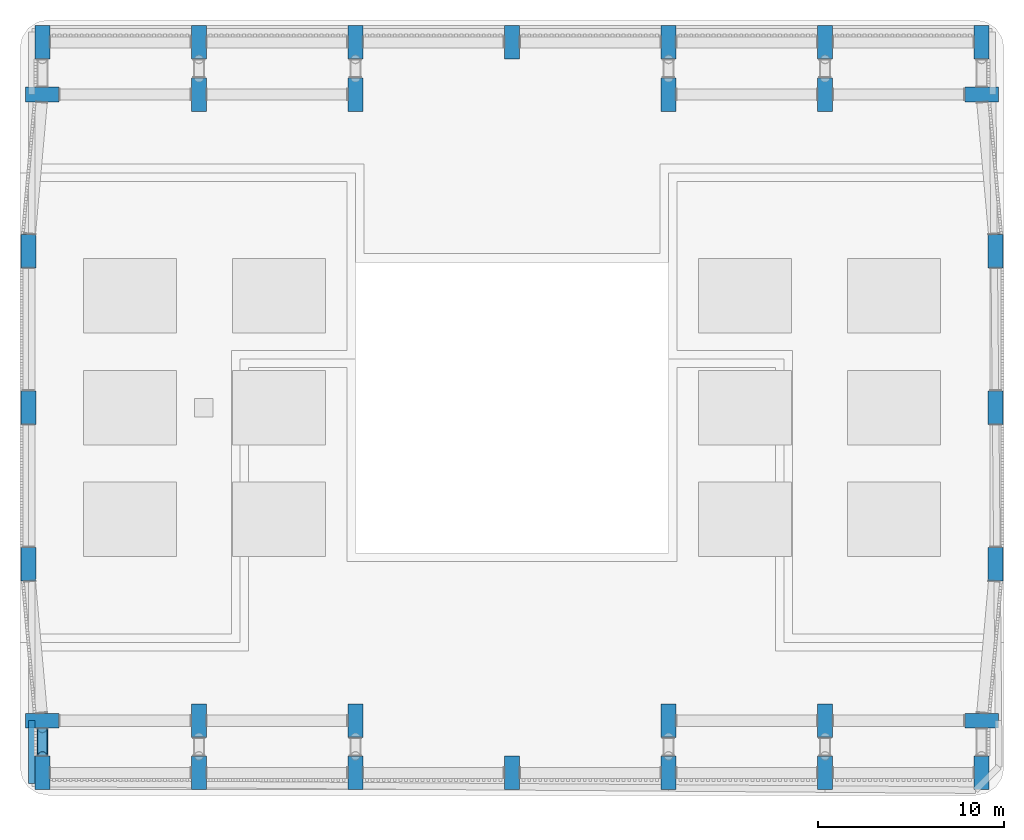
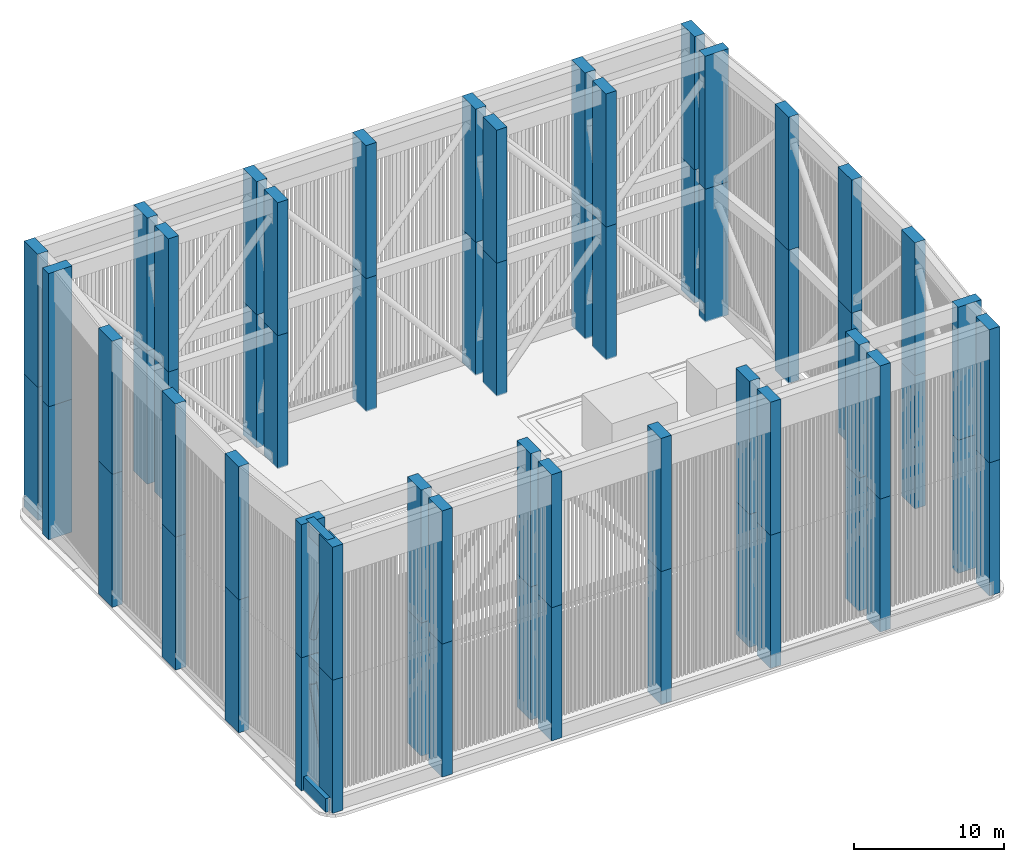
# One storey, part 1 of 27: 64 columns, 3 beams, 2 members.
"""IFC4 building model written with IfcOpenShell, lengths in metres."""

from ifc_helpers import new_model, si_unit, direction, frame, origin, origin_2d, place, context, subcontext, project, spatial, rectangle, hollow_circle, extrude, material, material_profile, profile_set, type_object, element, save


model = new_model("IFC4")

# Units and contexts
model_context = context("Model", 3, precision=1e-05, world=origin(), true_north=direction((0.0, 1.0)))
body_context = subcontext(model_context, "Body", "Model", "MODEL_VIEW")
ifc_project = project(units=[si_unit("LENGTHUNIT", "METRE"), si_unit("AREAUNIT", "SQUARE_METRE"), si_unit("VOLUMEUNIT", "CUBIC_METRE"), si_unit("PLANEANGLEUNIT", "RADIAN"), si_unit("MASSUNIT", "GRAM", prefix="KILO")], contexts=[model_context])

# Site, building, storey
site_placement = place(None, origin())
site = spatial("IfcSite", under=ifc_project, at=site_placement, CompositionType="ELEMENT")
building_placement = place(site_placement, origin())
building = spatial("IfcBuilding", under=site, at=building_placement, Name="Claustro Exchange Tower", CompositionType="ELEMENT")
storey_placement = place(building_placement, frame((0.0, 0.0, 287.10009765625)))
storey = spatial("IfcBuildingStorey", under=building, at=storey_placement, Name="ROOF", CompositionType="ELEMENT", Elevation=287.10009765625)

# Columns
ifc_material_1 = material(Name="Concrete HA-50 (C50/60)", Category="concrete")
ifc_material_profile_1 = material_profile(ifc_material_1, rectangle(XDim=0.800048828125, YDim=1.800048828125, at=origin_2d()), Name="RC 800x1800")
ifc_profile_set_1 = profile_set([ifc_material_profile_1], Name="Concrete HA-50 (C50/60)")
column_type = type_object("IfcColumnType", Name="CF1 RC 800x1800 crown frame blade", PredefinedType="COLUMN", material=ifc_profile_set_1)
column_1_placement = place(storey_placement, frame((-0.75, 16.800048828125, 0.0), z_axis=(0.0, 0.0, 1.0), x_axis=(1.0, 0.0, 0.0)))
element("IfcColumn", 1, at=column_1_placement, inside=storey, type_object=column_type, Name="CROWN FRAME blade CF1 1+-750/C lower", PredefinedType="COLUMN", context=body_context, shape_type="SweptSolid", body=[
    extrude(rectangle(XDim=0.800048828125, YDim=1.800048828125, at=origin_2d()), origin(), (0.0, 0.0, 1.0), 10.7998046875),
])
column_2_placement = place(storey_placement, frame((-0.75, 16.800048828125, 10.7998046875), z_axis=(0.0, 0.0, 1.0), x_axis=(1.0, 0.0, 0.0)))
element("IfcColumn", 2, at=column_2_placement, inside=storey, type_object=column_type, Name="CROWN FRAME blade CF1 1+-750/C upper", PredefinedType="COLUMN", context=body_context, shape_type="SweptSolid", body=[
    extrude(rectangle(XDim=0.800048828125, YDim=1.800048828125, at=origin_2d()), origin(), (0.0, 0.0, 1.0), 10.800048828125),
])
column_3_placement = place(storey_placement, frame((-0.75, 25.199951171875, 0.0), z_axis=(0.0, 0.0, 1.0), x_axis=(1.0, 0.0, 0.0)))
element("IfcColumn", 3, at=column_3_placement, inside=storey, type_object=column_type, Name="CROWN FRAME blade CF1 1+-750/D lower", PredefinedType="COLUMN", context=body_context, shape_type="SweptSolid", body=[
    extrude(rectangle(XDim=0.800048828125, YDim=1.800048828125, at=origin_2d()), origin(), (0.0, 0.0, 1.0), 10.7998046875),
])
column_4_placement = place(storey_placement, frame((-0.75, 25.199951171875, 10.7998046875), z_axis=(0.0, 0.0, 1.0), x_axis=(1.0, 0.0, 0.0)))
element("IfcColumn", 4, at=column_4_placement, inside=storey, type_object=column_type, Name="CROWN FRAME blade CF1 1+-750/D upper", PredefinedType="COLUMN", context=body_context, shape_type="SweptSolid", body=[
    extrude(rectangle(XDim=0.800048828125, YDim=1.800048828125, at=origin_2d()), origin(), (0.0, 0.0, 1.0), 10.800048828125),
])
column_5_placement = place(storey_placement, frame((-0.75, 33.60009765625, 0.0), z_axis=(0.0, 0.0, 1.0), x_axis=(1.0, 0.0, 0.0)))
element("IfcColumn", 5, at=column_5_placement, inside=storey, type_object=column_type, Name="CROWN FRAME blade CF1 1+-750/E lower", PredefinedType="COLUMN", context=body_context, shape_type="SweptSolid", body=[
    extrude(rectangle(XDim=0.800048828125, YDim=1.800048828125, at=origin_2d()), origin(), (0.0, 0.0, 1.0), 10.7998046875),
])
column_6_placement = place(storey_placement, frame((-0.75, 33.60009765625, 10.7998046875), z_axis=(0.0, 0.0, 1.0), x_axis=(1.0, 0.0, 0.0)))
element("IfcColumn", 6, at=column_6_placement, inside=storey, type_object=column_type, Name="CROWN FRAME blade CF1 1+-750/E upper", PredefinedType="COLUMN", context=body_context, shape_type="SweptSolid", body=[
    extrude(rectangle(XDim=0.800048828125, YDim=1.800048828125, at=origin_2d()), origin(), (0.0, 0.0, 1.0), 10.800048828125),
])
column_7_placement = place(storey_placement, frame((0.0, 5.60009765625, 0.0), z_axis=(0.0, 0.0, 1.0), x_axis=(1.0, 0.0, 0.0)))
element("IfcColumn", 7, at=column_7_placement, inside=storey, type_object=column_type, Name="CROWN FRAME blade CF1 1/A+5600 lower", PredefinedType="COLUMN", context=body_context, shape_type="SweptSolid", body=[
    extrude(rectangle(XDim=0.800048828125, YDim=1.800048828125, at=origin_2d()), origin(), (0.0, 0.0, 1.0), 10.7998046875),
])
column_8_placement = place(storey_placement, frame((0.0, 5.60009765625, 10.7998046875), z_axis=(0.0, 0.0, 1.0), x_axis=(1.0, 0.0, 0.0)))
element("IfcColumn", 8, at=column_8_placement, inside=storey, type_object=column_type, Name="CROWN FRAME blade CF1 1/A+5600 upper", PredefinedType="COLUMN", context=body_context, shape_type="SweptSolid", body=[
    extrude(rectangle(XDim=0.800048828125, YDim=1.800048828125, at=origin_2d()), origin(), (0.0, 0.0, 1.0), 10.800048828125),
])
column_9_placement = place(storey_placement, frame((0.0, 8.39990234375, 0.0), z_axis=(0.0, 0.0, 1.0), x_axis=(0.0, 1.0, 0.0)))
element("IfcColumn", 9, at=column_9_placement, inside=storey, type_object=column_type, Name="CROWN FRAME blade CF1 1/B lower", PredefinedType="COLUMN", context=body_context, shape_type="SweptSolid", body=[
    extrude(rectangle(XDim=0.800048828125, YDim=1.800048828125, at=origin_2d()), origin(), (0.0, 0.0, 1.0), 10.7998046875),
])
column_10_placement = place(storey_placement, frame((0.0, 8.39990234375, 10.7998046875), z_axis=(0.0, 0.0, 1.0), x_axis=(0.0, 1.0, 0.0)))
element("IfcColumn", 10, at=column_10_placement, inside=storey, type_object=column_type, Name="CROWN FRAME blade CF1 1/B upper", PredefinedType="COLUMN", context=body_context, shape_type="SweptSolid", body=[
    extrude(rectangle(XDim=0.800048828125, YDim=1.800048828125, at=origin_2d()), origin(), (0.0, 0.0, 1.0), 10.800048828125),
])
column_11_placement = place(storey_placement, frame((0.0, 42.0, 0.0), z_axis=(0.0, 0.0, 1.0), x_axis=(0.0, 1.0, 0.0)))
element("IfcColumn", 11, at=column_11_placement, inside=storey, type_object=column_type, Name="CROWN FRAME blade CF1 1/F lower", PredefinedType="COLUMN", context=body_context, shape_type="SweptSolid", body=[
    extrude(rectangle(XDim=0.800048828125, YDim=1.800048828125, at=origin_2d()), origin(), (0.0, 0.0, 1.0), 10.7998046875),
])
column_12_placement = place(storey_placement, frame((0.0, 42.0, 10.7998046875), z_axis=(0.0, 0.0, 1.0), x_axis=(0.0, 1.0, 0.0)))
element("IfcColumn", 12, at=column_12_placement, inside=storey, type_object=column_type, Name="CROWN FRAME blade CF1 1/F upper", PredefinedType="COLUMN", context=body_context, shape_type="SweptSolid", body=[
    extrude(rectangle(XDim=0.800048828125, YDim=1.800048828125, at=origin_2d()), origin(), (0.0, 0.0, 1.0), 10.800048828125),
])
column_13_placement = place(storey_placement, frame((0.0, 44.800048828125, 0.0), z_axis=(0.0, 0.0, 1.0), x_axis=(1.0, 0.0, 0.0)))
element("IfcColumn", 13, at=column_13_placement, inside=storey, type_object=column_type, Name="CROWN FRAME blade CF1 1/F+2800 lower", PredefinedType="COLUMN", context=body_context, shape_type="SweptSolid", body=[
    extrude(rectangle(XDim=0.800048828125, YDim=1.800048828125, at=origin_2d()), origin(), (0.0, 0.0, 1.0), 10.7998046875),
])
column_14_placement = place(storey_placement, frame((0.0, 44.800048828125, 10.7998046875), z_axis=(0.0, 0.0, 1.0), x_axis=(1.0, 0.0, 0.0)))
element("IfcColumn", 14, at=column_14_placement, inside=storey, type_object=column_type, Name="CROWN FRAME blade CF1 1/F+2800 upper", PredefinedType="COLUMN", context=body_context, shape_type="SweptSolid", body=[
    extrude(rectangle(XDim=0.800048828125, YDim=1.800048828125, at=origin_2d()), origin(), (0.0, 0.0, 1.0), 10.800048828125),
])
column_15_placement = place(storey_placement, frame((8.39990234375, 5.60009765625, 0.0), z_axis=(0.0, 0.0, 1.0), x_axis=(1.0, 0.0, 0.0)))
element("IfcColumn", 15, at=column_15_placement, inside=storey, type_object=column_type, Name="CROWN FRAME blade CF1 2/A+5600 lower", PredefinedType="COLUMN", context=body_context, shape_type="SweptSolid", body=[
    extrude(rectangle(XDim=0.800048828125, YDim=1.800048828125, at=origin_2d()), origin(), (0.0, 0.0, 1.0), 10.7998046875),
])
column_16_placement = place(storey_placement, frame((8.39990234375, 5.60009765625, 10.7998046875), z_axis=(0.0, 0.0, 1.0), x_axis=(1.0, 0.0, 0.0)))
element("IfcColumn", 16, at=column_16_placement, inside=storey, type_object=column_type, Name="CROWN FRAME blade CF1 2/A+5600 upper", PredefinedType="COLUMN", context=body_context, shape_type="SweptSolid", body=[
    extrude(rectangle(XDim=0.800048828125, YDim=1.800048828125, at=origin_2d()), origin(), (0.0, 0.0, 1.0), 10.800048828125),
])
column_17_placement = place(storey_placement, frame((8.39990234375, 8.39990234375, 0.0), z_axis=(0.0, 0.0, 1.0), x_axis=(1.0, 0.0, 0.0)))
element("IfcColumn", 17, at=column_17_placement, inside=storey, type_object=column_type, Name="CROWN FRAME blade CF1 2/B lower", PredefinedType="COLUMN", context=body_context, shape_type="SweptSolid", body=[
    extrude(rectangle(XDim=0.800048828125, YDim=1.800048828125, at=origin_2d()), origin(), (0.0, 0.0, 1.0), 10.7998046875),
])
column_18_placement = place(storey_placement, frame((8.39990234375, 8.39990234375, 10.7998046875), z_axis=(0.0, 0.0, 1.0), x_axis=(1.0, 0.0, 0.0)))
element("IfcColumn", 18, at=column_18_placement, inside=storey, type_object=column_type, Name="CROWN FRAME blade CF1 2/B upper", PredefinedType="COLUMN", context=body_context, shape_type="SweptSolid", body=[
    extrude(rectangle(XDim=0.800048828125, YDim=1.800048828125, at=origin_2d()), origin(), (0.0, 0.0, 1.0), 10.800048828125),
])
column_19_placement = place(storey_placement, frame((8.39990234375, 42.0, 0.0), z_axis=(0.0, 0.0, 1.0), x_axis=(1.0, 0.0, 0.0)))
element("IfcColumn", 19, at=column_19_placement, inside=storey, type_object=column_type, Name="CROWN FRAME blade CF1 2/F lower", PredefinedType="COLUMN", context=body_context, shape_type="SweptSolid", body=[
    extrude(rectangle(XDim=0.800048828125, YDim=1.800048828125, at=origin_2d()), origin(), (0.0, 0.0, 1.0), 10.7998046875),
])
column_20_placement = place(storey_placement, frame((8.39990234375, 42.0, 10.7998046875), z_axis=(0.0, 0.0, 1.0), x_axis=(1.0, 0.0, 0.0)))
element("IfcColumn", 20, at=column_20_placement, inside=storey, type_object=column_type, Name="CROWN FRAME blade CF1 2/F upper", PredefinedType="COLUMN", context=body_context, shape_type="SweptSolid", body=[
    extrude(rectangle(XDim=0.800048828125, YDim=1.800048828125, at=origin_2d()), origin(), (0.0, 0.0, 1.0), 10.800048828125),
])
column_21_placement = place(storey_placement, frame((8.39990234375, 44.800048828125, 0.0), z_axis=(0.0, 0.0, 1.0), x_axis=(1.0, 0.0, 0.0)))
element("IfcColumn", 21, at=column_21_placement, inside=storey, type_object=column_type, Name="CROWN FRAME blade CF1 2/F+2800 lower", PredefinedType="COLUMN", context=body_context, shape_type="SweptSolid", body=[
    extrude(rectangle(XDim=0.800048828125, YDim=1.800048828125, at=origin_2d()), origin(), (0.0, 0.0, 1.0), 10.7998046875),
])
column_22_placement = place(storey_placement, frame((8.39990234375, 44.800048828125, 10.7998046875), z_axis=(0.0, 0.0, 1.0), x_axis=(1.0, 0.0, 0.0)))
element("IfcColumn", 22, at=column_22_placement, inside=storey, type_object=column_type, Name="CROWN FRAME blade CF1 2/F+2800 upper", PredefinedType="COLUMN", context=body_context, shape_type="SweptSolid", body=[
    extrude(rectangle(XDim=0.800048828125, YDim=1.800048828125, at=origin_2d()), origin(), (0.0, 0.0, 1.0), 10.800048828125),
])
column_23_placement = place(storey_placement, frame((16.800048828125, 5.60009765625, 0.0), z_axis=(0.0, 0.0, 1.0), x_axis=(1.0, 0.0, 0.0)))
element("IfcColumn", 23, at=column_23_placement, inside=storey, type_object=column_type, Name="CROWN FRAME blade CF1 3/A+5600 lower", PredefinedType="COLUMN", context=body_context, shape_type="SweptSolid", body=[
    extrude(rectangle(XDim=0.800048828125, YDim=1.800048828125, at=origin_2d()), origin(), (0.0, 0.0, 1.0), 10.7998046875),
])
column_24_placement = place(storey_placement, frame((16.800048828125, 5.60009765625, 10.7998046875), z_axis=(0.0, 0.0, 1.0), x_axis=(1.0, 0.0, 0.0)))
element("IfcColumn", 24, at=column_24_placement, inside=storey, type_object=column_type, Name="CROWN FRAME blade CF1 3/A+5600 upper", PredefinedType="COLUMN", context=body_context, shape_type="SweptSolid", body=[
    extrude(rectangle(XDim=0.800048828125, YDim=1.800048828125, at=origin_2d()), origin(), (0.0, 0.0, 1.0), 10.800048828125),
])
column_25_placement = place(storey_placement, frame((16.800048828125, 8.39990234375, 0.0), z_axis=(0.0, 0.0, 1.0), x_axis=(1.0, 0.0, 0.0)))
element("IfcColumn", 25, at=column_25_placement, inside=storey, type_object=column_type, Name="CROWN FRAME blade CF1 3/B lower", PredefinedType="COLUMN", context=body_context, shape_type="SweptSolid", body=[
    extrude(rectangle(XDim=0.800048828125, YDim=1.800048828125, at=origin_2d()), origin(), (0.0, 0.0, 1.0), 10.7998046875),
])
column_26_placement = place(storey_placement, frame((16.800048828125, 8.39990234375, 10.7998046875), z_axis=(0.0, 0.0, 1.0), x_axis=(1.0, 0.0, 0.0)))
element("IfcColumn", 26, at=column_26_placement, inside=storey, type_object=column_type, Name="CROWN FRAME blade CF1 3/B upper", PredefinedType="COLUMN", context=body_context, shape_type="SweptSolid", body=[
    extrude(rectangle(XDim=0.800048828125, YDim=1.800048828125, at=origin_2d()), origin(), (0.0, 0.0, 1.0), 10.800048828125),
])
column_27_placement = place(storey_placement, frame((16.800048828125, 42.0, 0.0), z_axis=(0.0, 0.0, 1.0), x_axis=(1.0, 0.0, 0.0)))
element("IfcColumn", 27, at=column_27_placement, inside=storey, type_object=column_type, Name="CROWN FRAME blade CF1 3/F lower", PredefinedType="COLUMN", context=body_context, shape_type="SweptSolid", body=[
    extrude(rectangle(XDim=0.800048828125, YDim=1.800048828125, at=origin_2d()), origin(), (0.0, 0.0, 1.0), 10.7998046875),
])
column_28_placement = place(storey_placement, frame((16.800048828125, 42.0, 10.7998046875), z_axis=(0.0, 0.0, 1.0), x_axis=(1.0, 0.0, 0.0)))
element("IfcColumn", 28, at=column_28_placement, inside=storey, type_object=column_type, Name="CROWN FRAME blade CF1 3/F upper", PredefinedType="COLUMN", context=body_context, shape_type="SweptSolid", body=[
    extrude(rectangle(XDim=0.800048828125, YDim=1.800048828125, at=origin_2d()), origin(), (0.0, 0.0, 1.0), 10.800048828125),
])
column_29_placement = place(storey_placement, frame((16.800048828125, 44.800048828125, 0.0), z_axis=(0.0, 0.0, 1.0), x_axis=(1.0, 0.0, 0.0)))
element("IfcColumn", 29, at=column_29_placement, inside=storey, type_object=column_type, Name="CROWN FRAME blade CF1 3/F+2800 lower", PredefinedType="COLUMN", context=body_context, shape_type="SweptSolid", body=[
    extrude(rectangle(XDim=0.800048828125, YDim=1.800048828125, at=origin_2d()), origin(), (0.0, 0.0, 1.0), 10.7998046875),
])
column_30_placement = place(storey_placement, frame((16.800048828125, 44.800048828125, 10.7998046875), z_axis=(0.0, 0.0, 1.0), x_axis=(1.0, 0.0, 0.0)))
element("IfcColumn", 30, at=column_30_placement, inside=storey, type_object=column_type, Name="CROWN FRAME blade CF1 3/F+2800 upper", PredefinedType="COLUMN", context=body_context, shape_type="SweptSolid", body=[
    extrude(rectangle(XDim=0.800048828125, YDim=1.800048828125, at=origin_2d()), origin(), (0.0, 0.0, 1.0), 10.800048828125),
])
column_31_placement = place(storey_placement, frame((25.199951171875, 5.60009765625, 0.0), z_axis=(0.0, 0.0, 1.0), x_axis=(1.0, 0.0, 0.0)))
element("IfcColumn", 31, at=column_31_placement, inside=storey, type_object=column_type, Name="CROWN FRAME blade CF1 4/A+5600 lower", PredefinedType="COLUMN", context=body_context, shape_type="SweptSolid", body=[
    extrude(rectangle(XDim=0.800048828125, YDim=1.800048828125, at=origin_2d()), origin(), (0.0, 0.0, 1.0), 10.7998046875),
])
column_32_placement = place(storey_placement, frame((25.199951171875, 5.60009765625, 10.7998046875), z_axis=(0.0, 0.0, 1.0), x_axis=(1.0, 0.0, 0.0)))
element("IfcColumn", 32, at=column_32_placement, inside=storey, type_object=column_type, Name="CROWN FRAME blade CF1 4/A+5600 upper", PredefinedType="COLUMN", context=body_context, shape_type="SweptSolid", body=[
    extrude(rectangle(XDim=0.800048828125, YDim=1.800048828125, at=origin_2d()), origin(), (0.0, 0.0, 1.0), 10.800048828125),
])
column_33_placement = place(storey_placement, frame((25.199951171875, 44.800048828125, 0.0), z_axis=(0.0, 0.0, 1.0), x_axis=(1.0, 0.0, 0.0)))
element("IfcColumn", 33, at=column_33_placement, inside=storey, type_object=column_type, Name="CROWN FRAME blade CF1 4/F+2800 lower", PredefinedType="COLUMN", context=body_context, shape_type="SweptSolid", body=[
    extrude(rectangle(XDim=0.800048828125, YDim=1.800048828125, at=origin_2d()), origin(), (0.0, 0.0, 1.0), 10.7998046875),
])
column_34_placement = place(storey_placement, frame((25.199951171875, 44.800048828125, 10.7998046875), z_axis=(0.0, 0.0, 1.0), x_axis=(1.0, 0.0, 0.0)))
element("IfcColumn", 34, at=column_34_placement, inside=storey, type_object=column_type, Name="CROWN FRAME blade CF1 4/F+2800 upper", PredefinedType="COLUMN", context=body_context, shape_type="SweptSolid", body=[
    extrude(rectangle(XDim=0.800048828125, YDim=1.800048828125, at=origin_2d()), origin(), (0.0, 0.0, 1.0), 10.800048828125),
])
column_35_placement = place(storey_placement, frame((33.60009765625, 5.60009765625, 0.0), z_axis=(0.0, 0.0, 1.0), x_axis=(1.0, 0.0, 0.0)))
element("IfcColumn", 35, at=column_35_placement, inside=storey, type_object=column_type, Name="CROWN FRAME blade CF1 5/A+5600 lower", PredefinedType="COLUMN", context=body_context, shape_type="SweptSolid", body=[
    extrude(rectangle(XDim=0.800048828125, YDim=1.800048828125, at=origin_2d()), origin(), (0.0, 0.0, 1.0), 10.7998046875),
])
column_36_placement = place(storey_placement, frame((33.60009765625, 5.60009765625, 10.7998046875), z_axis=(0.0, 0.0, 1.0), x_axis=(1.0, 0.0, 0.0)))
element("IfcColumn", 36, at=column_36_placement, inside=storey, type_object=column_type, Name="CROWN FRAME blade CF1 5/A+5600 upper", PredefinedType="COLUMN", context=body_context, shape_type="SweptSolid", body=[
    extrude(rectangle(XDim=0.800048828125, YDim=1.800048828125, at=origin_2d()), origin(), (0.0, 0.0, 1.0), 10.800048828125),
])
column_37_placement = place(storey_placement, frame((33.60009765625, 8.39990234375, 0.0), z_axis=(0.0, 0.0, 1.0), x_axis=(1.0, 0.0, 0.0)))
element("IfcColumn", 37, at=column_37_placement, inside=storey, type_object=column_type, Name="CROWN FRAME blade CF1 5/B lower", PredefinedType="COLUMN", context=body_context, shape_type="SweptSolid", body=[
    extrude(rectangle(XDim=0.800048828125, YDim=1.800048828125, at=origin_2d()), origin(), (0.0, 0.0, 1.0), 10.7998046875),
])
column_38_placement = place(storey_placement, frame((33.60009765625, 8.39990234375, 10.7998046875), z_axis=(0.0, 0.0, 1.0), x_axis=(1.0, 0.0, 0.0)))
element("IfcColumn", 38, at=column_38_placement, inside=storey, type_object=column_type, Name="CROWN FRAME blade CF1 5/B upper", PredefinedType="COLUMN", context=body_context, shape_type="SweptSolid", body=[
    extrude(rectangle(XDim=0.800048828125, YDim=1.800048828125, at=origin_2d()), origin(), (0.0, 0.0, 1.0), 10.800048828125),
])
column_39_placement = place(storey_placement, frame((33.60009765625, 42.0, 0.0), z_axis=(0.0, 0.0, 1.0), x_axis=(1.0, 0.0, 0.0)))
element("IfcColumn", 39, at=column_39_placement, inside=storey, type_object=column_type, Name="CROWN FRAME blade CF1 5/F lower", PredefinedType="COLUMN", context=body_context, shape_type="SweptSolid", body=[
    extrude(rectangle(XDim=0.800048828125, YDim=1.800048828125, at=origin_2d()), origin(), (0.0, 0.0, 1.0), 10.7998046875),
])
column_40_placement = place(storey_placement, frame((33.60009765625, 42.0, 10.7998046875), z_axis=(0.0, 0.0, 1.0), x_axis=(1.0, 0.0, 0.0)))
element("IfcColumn", 40, at=column_40_placement, inside=storey, type_object=column_type, Name="CROWN FRAME blade CF1 5/F upper", PredefinedType="COLUMN", context=body_context, shape_type="SweptSolid", body=[
    extrude(rectangle(XDim=0.800048828125, YDim=1.800048828125, at=origin_2d()), origin(), (0.0, 0.0, 1.0), 10.800048828125),
])
column_41_placement = place(storey_placement, frame((33.60009765625, 44.800048828125, 0.0), z_axis=(0.0, 0.0, 1.0), x_axis=(1.0, 0.0, 0.0)))
element("IfcColumn", 41, at=column_41_placement, inside=storey, type_object=column_type, Name="CROWN FRAME blade CF1 5/F+2800 lower", PredefinedType="COLUMN", context=body_context, shape_type="SweptSolid", body=[
    extrude(rectangle(XDim=0.800048828125, YDim=1.800048828125, at=origin_2d()), origin(), (0.0, 0.0, 1.0), 10.7998046875),
])
column_42_placement = place(storey_placement, frame((33.60009765625, 44.800048828125, 10.7998046875), z_axis=(0.0, 0.0, 1.0), x_axis=(1.0, 0.0, 0.0)))
element("IfcColumn", 42, at=column_42_placement, inside=storey, type_object=column_type, Name="CROWN FRAME blade CF1 5/F+2800 upper", PredefinedType="COLUMN", context=body_context, shape_type="SweptSolid", body=[
    extrude(rectangle(XDim=0.800048828125, YDim=1.800048828125, at=origin_2d()), origin(), (0.0, 0.0, 1.0), 10.800048828125),
])
column_43_placement = place(storey_placement, frame((42.0, 5.60009765625, 0.0), z_axis=(0.0, 0.0, 1.0), x_axis=(1.0, 0.0, 0.0)))
element("IfcColumn", 43, at=column_43_placement, inside=storey, type_object=column_type, Name="CROWN FRAME blade CF1 6/A+5600 lower", PredefinedType="COLUMN", context=body_context, shape_type="SweptSolid", body=[
    extrude(rectangle(XDim=0.800048828125, YDim=1.800048828125, at=origin_2d()), origin(), (0.0, 0.0, 1.0), 10.7998046875),
])
column_44_placement = place(storey_placement, frame((42.0, 5.60009765625, 10.7998046875), z_axis=(0.0, 0.0, 1.0), x_axis=(1.0, 0.0, 0.0)))
element("IfcColumn", 44, at=column_44_placement, inside=storey, type_object=column_type, Name="CROWN FRAME blade CF1 6/A+5600 upper", PredefinedType="COLUMN", context=body_context, shape_type="SweptSolid", body=[
    extrude(rectangle(XDim=0.800048828125, YDim=1.800048828125, at=origin_2d()), origin(), (0.0, 0.0, 1.0), 10.800048828125),
])
column_45_placement = place(storey_placement, frame((42.0, 8.39990234375, 0.0), z_axis=(0.0, 0.0, 1.0), x_axis=(1.0, 0.0, 0.0)))
element("IfcColumn", 45, at=column_45_placement, inside=storey, type_object=column_type, Name="CROWN FRAME blade CF1 6/B lower", PredefinedType="COLUMN", context=body_context, shape_type="SweptSolid", body=[
    extrude(rectangle(XDim=0.800048828125, YDim=1.800048828125, at=origin_2d()), origin(), (0.0, 0.0, 1.0), 10.7998046875),
])
column_46_placement = place(storey_placement, frame((42.0, 8.39990234375, 10.7998046875), z_axis=(0.0, 0.0, 1.0), x_axis=(1.0, 0.0, 0.0)))
element("IfcColumn", 46, at=column_46_placement, inside=storey, type_object=column_type, Name="CROWN FRAME blade CF1 6/B upper", PredefinedType="COLUMN", context=body_context, shape_type="SweptSolid", body=[
    extrude(rectangle(XDim=0.800048828125, YDim=1.800048828125, at=origin_2d()), origin(), (0.0, 0.0, 1.0), 10.800048828125),
])
column_47_placement = place(storey_placement, frame((42.0, 42.0, 0.0), z_axis=(0.0, 0.0, 1.0), x_axis=(1.0, 0.0, 0.0)))
element("IfcColumn", 47, at=column_47_placement, inside=storey, type_object=column_type, Name="CROWN FRAME blade CF1 6/F lower", PredefinedType="COLUMN", context=body_context, shape_type="SweptSolid", body=[
    extrude(rectangle(XDim=0.800048828125, YDim=1.800048828125, at=origin_2d()), origin(), (0.0, 0.0, 1.0), 10.7998046875),
])
column_48_placement = place(storey_placement, frame((42.0, 42.0, 10.7998046875), z_axis=(0.0, 0.0, 1.0), x_axis=(1.0, 0.0, 0.0)))
element("IfcColumn", 48, at=column_48_placement, inside=storey, type_object=column_type, Name="CROWN FRAME blade CF1 6/F upper", PredefinedType="COLUMN", context=body_context, shape_type="SweptSolid", body=[
    extrude(rectangle(XDim=0.800048828125, YDim=1.800048828125, at=origin_2d()), origin(), (0.0, 0.0, 1.0), 10.800048828125),
])
column_49_placement = place(storey_placement, frame((42.0, 44.800048828125, 0.0), z_axis=(0.0, 0.0, 1.0), x_axis=(1.0, 0.0, 0.0)))
element("IfcColumn", 49, at=column_49_placement, inside=storey, type_object=column_type, Name="CROWN FRAME blade CF1 6/F+2800 lower", PredefinedType="COLUMN", context=body_context, shape_type="SweptSolid", body=[
    extrude(rectangle(XDim=0.800048828125, YDim=1.800048828125, at=origin_2d()), origin(), (0.0, 0.0, 1.0), 10.7998046875),
])
column_50_placement = place(storey_placement, frame((42.0, 44.800048828125, 10.7998046875), z_axis=(0.0, 0.0, 1.0), x_axis=(1.0, 0.0, 0.0)))
element("IfcColumn", 50, at=column_50_placement, inside=storey, type_object=column_type, Name="CROWN FRAME blade CF1 6/F+2800 upper", PredefinedType="COLUMN", context=body_context, shape_type="SweptSolid", body=[
    extrude(rectangle(XDim=0.800048828125, YDim=1.800048828125, at=origin_2d()), origin(), (0.0, 0.0, 1.0), 10.800048828125),
])
column_51_placement = place(storey_placement, frame((50.39990234375, 5.60009765625, 0.0), z_axis=(0.0, 0.0, 1.0), x_axis=(1.0, 0.0, 0.0)))
element("IfcColumn", 51, at=column_51_placement, inside=storey, type_object=column_type, Name="CROWN FRAME blade CF1 7/A+5600 lower", PredefinedType="COLUMN", context=body_context, shape_type="SweptSolid", body=[
    extrude(rectangle(XDim=0.800048828125, YDim=1.800048828125, at=origin_2d()), origin(), (0.0, 0.0, 1.0), 10.7998046875),
])
column_52_placement = place(storey_placement, frame((50.39990234375, 5.60009765625, 10.7998046875), z_axis=(0.0, 0.0, 1.0), x_axis=(1.0, 0.0, 0.0)))
element("IfcColumn", 52, at=column_52_placement, inside=storey, type_object=column_type, Name="CROWN FRAME blade CF1 7/A+5600 upper", PredefinedType="COLUMN", context=body_context, shape_type="SweptSolid", body=[
    extrude(rectangle(XDim=0.800048828125, YDim=1.800048828125, at=origin_2d()), origin(), (0.0, 0.0, 1.0), 10.800048828125),
])
column_53_placement = place(storey_placement, frame((50.39990234375, 8.39990234375, 0.0), z_axis=(0.0, 0.0, 1.0), x_axis=(0.0, 1.0, 0.0)))
element("IfcColumn", 53, at=column_53_placement, inside=storey, type_object=column_type, Name="CROWN FRAME blade CF1 7/B lower", PredefinedType="COLUMN", context=body_context, shape_type="SweptSolid", body=[
    extrude(rectangle(XDim=0.800048828125, YDim=1.800048828125, at=origin_2d()), origin(), (0.0, 0.0, 1.0), 10.7998046875),
])
column_54_placement = place(storey_placement, frame((50.39990234375, 8.39990234375, 10.7998046875), z_axis=(0.0, 0.0, 1.0), x_axis=(0.0, 1.0, 0.0)))
element("IfcColumn", 54, at=column_54_placement, inside=storey, type_object=column_type, Name="CROWN FRAME blade CF1 7/B upper", PredefinedType="COLUMN", context=body_context, shape_type="SweptSolid", body=[
    extrude(rectangle(XDim=0.800048828125, YDim=1.800048828125, at=origin_2d()), origin(), (0.0, 0.0, 1.0), 10.800048828125),
])
column_55_placement = place(storey_placement, frame((50.39990234375, 42.0, 0.0), z_axis=(0.0, 0.0, 1.0), x_axis=(0.0, 1.0, 0.0)))
element("IfcColumn", 55, at=column_55_placement, inside=storey, type_object=column_type, Name="CROWN FRAME blade CF1 7/F lower", PredefinedType="COLUMN", context=body_context, shape_type="SweptSolid", body=[
    extrude(rectangle(XDim=0.800048828125, YDim=1.800048828125, at=origin_2d()), origin(), (0.0, 0.0, 1.0), 10.7998046875),
])
column_56_placement = place(storey_placement, frame((50.39990234375, 42.0, 10.7998046875), z_axis=(0.0, 0.0, 1.0), x_axis=(0.0, 1.0, 0.0)))
element("IfcColumn", 56, at=column_56_placement, inside=storey, type_object=column_type, Name="CROWN FRAME blade CF1 7/F upper", PredefinedType="COLUMN", context=body_context, shape_type="SweptSolid", body=[
    extrude(rectangle(XDim=0.800048828125, YDim=1.800048828125, at=origin_2d()), origin(), (0.0, 0.0, 1.0), 10.800048828125),
])
column_57_placement = place(storey_placement, frame((50.39990234375, 44.800048828125, 0.0), z_axis=(0.0, 0.0, 1.0), x_axis=(1.0, 0.0, 0.0)))
element("IfcColumn", 57, at=column_57_placement, inside=storey, type_object=column_type, Name="CROWN FRAME blade CF1 7/F+2800 lower", PredefinedType="COLUMN", context=body_context, shape_type="SweptSolid", body=[
    extrude(rectangle(XDim=0.800048828125, YDim=1.800048828125, at=origin_2d()), origin(), (0.0, 0.0, 1.0), 10.7998046875),
])
column_58_placement = place(storey_placement, frame((50.39990234375, 44.800048828125, 10.7998046875), z_axis=(0.0, 0.0, 1.0), x_axis=(1.0, 0.0, 0.0)))
element("IfcColumn", 58, at=column_58_placement, inside=storey, type_object=column_type, Name="CROWN FRAME blade CF1 7/F+2800 upper", PredefinedType="COLUMN", context=body_context, shape_type="SweptSolid", body=[
    extrude(rectangle(XDim=0.800048828125, YDim=1.800048828125, at=origin_2d()), origin(), (0.0, 0.0, 1.0), 10.800048828125),
])
column_59_placement = place(storey_placement, frame((51.14990234375, 16.800048828125, 0.0), z_axis=(0.0, 0.0, 1.0), x_axis=(1.0, 0.0, 0.0)))
element("IfcColumn", 59, at=column_59_placement, inside=storey, type_object=column_type, Name="CROWN FRAME blade CF1 7+750/C lower", PredefinedType="COLUMN", context=body_context, shape_type="SweptSolid", body=[
    extrude(rectangle(XDim=0.800048828125, YDim=1.800048828125, at=origin_2d()), origin(), (0.0, 0.0, 1.0), 10.7998046875),
])
column_60_placement = place(storey_placement, frame((51.14990234375, 16.800048828125, 10.7998046875), z_axis=(0.0, 0.0, 1.0), x_axis=(1.0, 0.0, 0.0)))
element("IfcColumn", 60, at=column_60_placement, inside=storey, type_object=column_type, Name="CROWN FRAME blade CF1 7+750/C upper", PredefinedType="COLUMN", context=body_context, shape_type="SweptSolid", body=[
    extrude(rectangle(XDim=0.800048828125, YDim=1.800048828125, at=origin_2d()), origin(), (0.0, 0.0, 1.0), 10.800048828125),
])
column_61_placement = place(storey_placement, frame((51.14990234375, 25.199951171875, 0.0), z_axis=(0.0, 0.0, 1.0), x_axis=(1.0, 0.0, 0.0)))
element("IfcColumn", 61, at=column_61_placement, inside=storey, type_object=column_type, Name="CROWN FRAME blade CF1 7+750/D lower", PredefinedType="COLUMN", context=body_context, shape_type="SweptSolid", body=[
    extrude(rectangle(XDim=0.800048828125, YDim=1.800048828125, at=origin_2d()), origin(), (0.0, 0.0, 1.0), 10.7998046875),
])
column_62_placement = place(storey_placement, frame((51.14990234375, 25.199951171875, 10.7998046875), z_axis=(0.0, 0.0, 1.0), x_axis=(1.0, 0.0, 0.0)))
element("IfcColumn", 62, at=column_62_placement, inside=storey, type_object=column_type, Name="CROWN FRAME blade CF1 7+750/D upper", PredefinedType="COLUMN", context=body_context, shape_type="SweptSolid", body=[
    extrude(rectangle(XDim=0.800048828125, YDim=1.800048828125, at=origin_2d()), origin(), (0.0, 0.0, 1.0), 10.800048828125),
])
column_63_placement = place(storey_placement, frame((51.14990234375, 33.60009765625, 0.0), z_axis=(0.0, 0.0, 1.0), x_axis=(1.0, 0.0, 0.0)))
element("IfcColumn", 63, at=column_63_placement, inside=storey, type_object=column_type, Name="CROWN FRAME blade CF1 7+750/E lower", PredefinedType="COLUMN", context=body_context, shape_type="SweptSolid", body=[
    extrude(rectangle(XDim=0.800048828125, YDim=1.800048828125, at=origin_2d()), origin(), (0.0, 0.0, 1.0), 10.7998046875),
])
column_64_placement = place(storey_placement, frame((51.14990234375, 33.60009765625, 10.7998046875), z_axis=(0.0, 0.0, 1.0), x_axis=(1.0, 0.0, 0.0)))
element("IfcColumn", 64, at=column_64_placement, inside=storey, type_object=column_type, Name="CROWN FRAME blade CF1 7+750/E upper", PredefinedType="COLUMN", context=body_context, shape_type="SweptSolid", body=[
    extrude(rectangle(XDim=0.800048828125, YDim=1.800048828125, at=origin_2d()), origin(), (0.0, 0.0, 1.0), 10.800048828125),
])

# Beam
ifc_material_2 = material(Name="Concrete HA-50 (C50/60)", Category="concrete")
ifc_material_profile_2 = material_profile(ifc_material_2, rectangle(XDim=0.60009765625, YDim=0.89990234375, at=origin_2d()), Name="RC 600x900")
ifc_profile_set_2 = profile_set([ifc_material_profile_2], Name="Concrete HA-50 (C50/60)")
beam_type_1 = type_object("IfcBeamType", Name="CF2 RC 600x900 crown frame ring beam", PredefinedType="BEAM", material=ifc_profile_set_2)
beam_1_placement = place(storey_placement, frame((0.0, 5.60009765625, 10.349853515625), z_axis=(0.0, 1.0, 0.0), x_axis=(-1.0, 0.0, 0.0)))
element("IfcBeam", 65, at=beam_1_placement, inside=storey, type_object=beam_type_1, Name="CROWN FRAME ring beam CF2", PredefinedType="BEAM", context=body_context, shape_type="SweptSolid", body=[
    extrude(rectangle(XDim=0.60009765625, YDim=0.89990234375, at=origin_2d()), origin(), (0.0, 0.0, 1.0), 2.7998046875),
])

# Members
ifc_material_3 = material(Name="Steel S355", Category="steel")
ifc_material_profile_3 = material_profile(ifc_material_3, hollow_circle(Radius=0.25390625, WallThickness=0.02490234375, at=origin_2d()), Name="CHS 508x25")
ifc_profile_set_3 = profile_set([ifc_material_profile_3], Name="Steel S355")
member_type = type_object("IfcMemberType", Name="CF3 CHS 508x25 crown frame brace", PredefinedType="BRACE", material=ifc_profile_set_3)
member_1_placement = place(storey_placement, frame((0.0, 6.5048828125, 3.19970703125), z_axis=(0.0, 0.272187703324, 0.962244175955), x_axis=(-1.0, 0.0, 0.0)))
element("IfcMember", 66, at=member_1_placement, inside=storey, type_object=member_type, Name="CROWN FRAME brace CF3 lower", PredefinedType="BRACE", context=body_context, shape_type="SweptSolid", body=[
    extrude(hollow_circle(Radius=0.25390625, WallThickness=0.02490234375, at=origin_2d()), origin(), (0.0, 0.0, 1.0), 5.47509765625),
])
member_2_placement = place(storey_placement, frame((0.0, 7.9951171875, 12.1884765625), z_axis=(0.0, -0.280036995505, 0.959989208871), x_axis=(1.0, 0.0, 0.0)))
element("IfcMember", 67, at=member_2_placement, inside=storey, type_object=member_type, Name="CROWN FRAME brace CF3 upper", PredefinedType="BRACE", context=body_context, shape_type="SweptSolid", body=[
    extrude(hollow_circle(Radius=0.25390625, WallThickness=0.02490234375, at=origin_2d()), origin(), (0.0, 0.0, 1.0), 5.321533203125),
])

# Beams
ifc_material_4 = material(Name="Concrete HA-50 (C50/60)", Category="concrete")
ifc_material_profile_4 = material_profile(ifc_material_4, rectangle(XDim=0.60009765625, YDim=1.199951171875, at=origin_2d()), Name="RC 600x1200")
ifc_profile_set_4 = profile_set([ifc_material_profile_4], Name="Concrete HA-50 (C50/60)")
beam_type_2 = type_object("IfcBeamType", Name="CF5 RC 600x1200 crown frame cap ring", PredefinedType="BEAM", material=ifc_profile_set_4)
beam_2_placement = place(storey_placement, frame((0.0, 5.60009765625, 21.0), z_axis=(0.0, 1.0, 0.0), x_axis=(-1.0, 0.0, 0.0)))
element("IfcBeam", 68, at=beam_2_placement, inside=storey, type_object=beam_type_2, Name="CROWN FRAME cap ring CF5", PredefinedType="BEAM", context=body_context, shape_type="SweptSolid", body=[
    extrude(rectangle(XDim=0.60009765625, YDim=1.199951171875, at=origin_2d()), origin(), (0.0, 0.0, 1.0), 2.7998046875),
])
ifc_material_5 = material(Name="Concrete HA-50 (C50/60)", Category="concrete")
ifc_material_profile_5 = material_profile(ifc_material_5, rectangle(XDim=0.35009765625, YDim=1.10009765625, at=origin_2d()), Name="RC 350x1100")
ifc_profile_set_5 = profile_set([ifc_material_profile_5], Name="Concrete HA-50 (C50/60)")
beam_type_3 = type_object("IfcBeamType", Name="CF6 RC 350x1100 crown frame base ring", PredefinedType="BEAM", material=ifc_profile_set_5)
beam_3_placement = place(storey_placement, frame((-0.5625, 5.03759765625, 0.5498046875), z_axis=(0.0, 1.0, 0.0), x_axis=(-1.0, 0.0, 0.0)))
element("IfcBeam", 69, at=beam_3_placement, inside=storey, type_object=beam_type_3, Name="CROWN FRAME base ring CF6", PredefinedType="BEAM", context=body_context, shape_type="SweptSolid", body=[
    extrude(rectangle(XDim=0.35009765625, YDim=1.10009765625, at=origin_2d()), origin(), (0.0, 0.0, 1.0), 3.3623046875),
])

save(model, "model.ifc")
